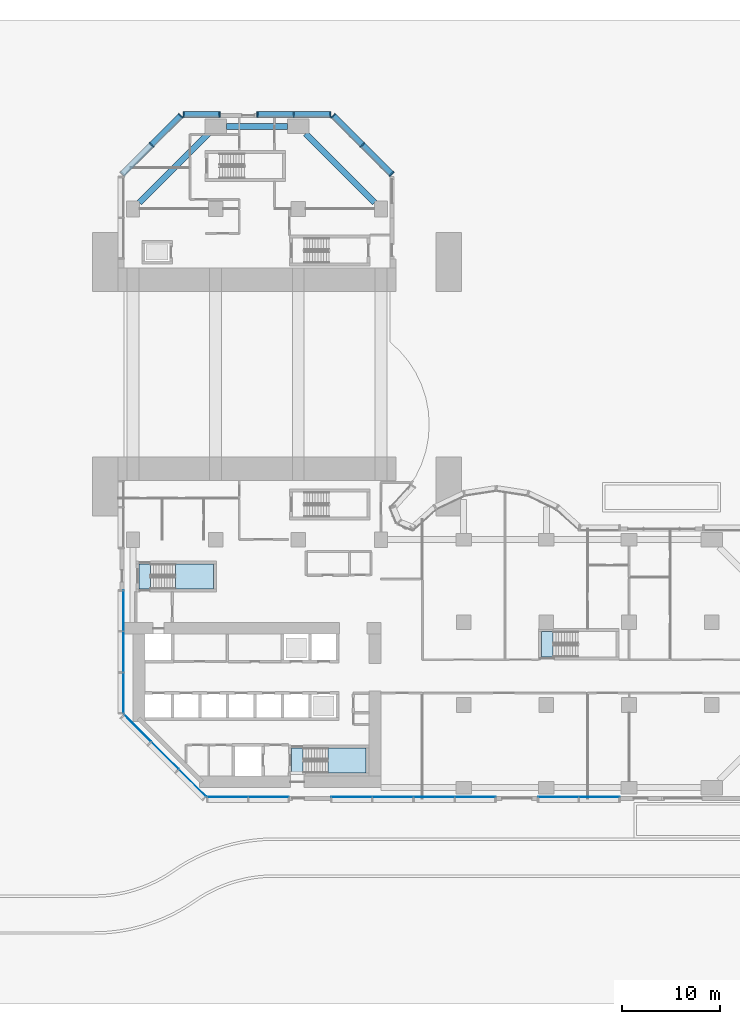
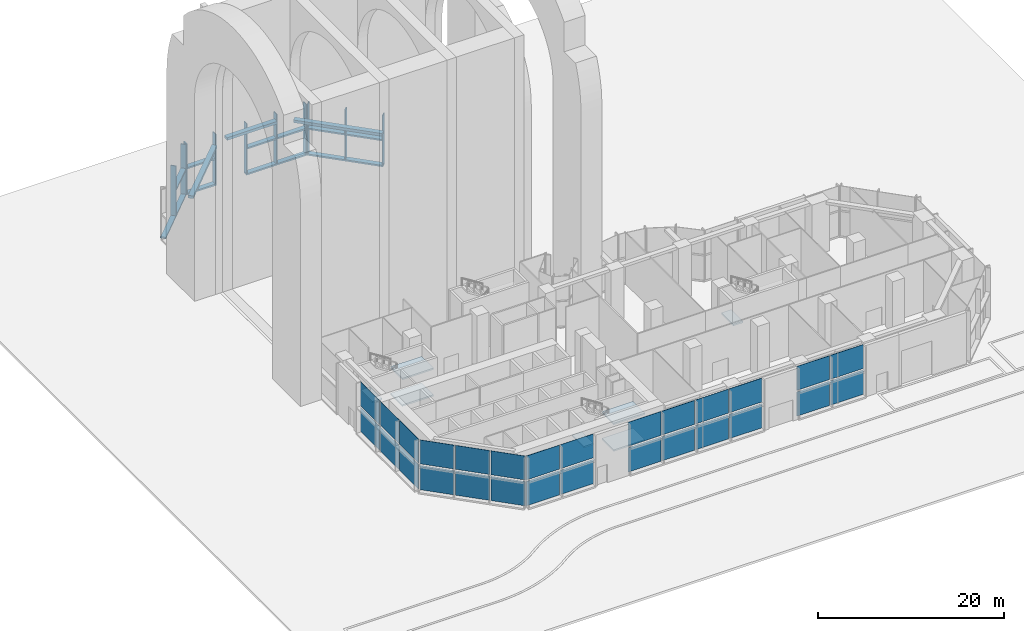
# One storey, part 4 of 21: 28 plates, 20 members, 7 slabs, 3 beams, 12 elements without a shape of their own.
"""IFC4 building model written with IfcOpenShell, lengths in metres."""

from ifc_helpers import new_model, si_unit, direction, frame, origin, origin_2d, place, context, subcontext, project, spatial, polyline, rectangle, outline, extrude, material, layer, layer_set, material_profile, profile_set, type_object, element, aggregate, save


model = new_model("IFC4")

# Units and contexts
model_context = context("Model", 3, precision=1e-05, world=origin(), true_north=direction((0.0, 1.0)))
body_context = subcontext(model_context, "Body", "Model", "MODEL_VIEW")
ifc_project = project(units=[si_unit("LENGTHUNIT", "METRE"), si_unit("AREAUNIT", "SQUARE_METRE"), si_unit("VOLUMEUNIT", "CUBIC_METRE"), si_unit("PLANEANGLEUNIT", "RADIAN"), si_unit("MASSUNIT", "GRAM", prefix="KILO")], contexts=[model_context])

# Site, building, storey
site_placement = place(None, origin())
site = spatial("IfcSite", under=ifc_project, at=site_placement, CompositionType="ELEMENT")
building_placement = place(site_placement, origin())
building = spatial("IfcBuilding", under=site, at=building_placement, Name="Brevane Broadcast Tower", CompositionType="ELEMENT")
storey_placement = place(building_placement, origin())
storey = spatial("IfcBuildingStorey", under=building, at=storey_placement, Name="L00", CompositionType="ELEMENT", Elevation=0.0)

# Curtain wall, members
ifc_material_1 = material(Name="Aluminium 6063-T6 bronze anodised", Category="aluminium")
curtain_wall_type = type_object("IfcCurtainWallType", Name="CW-6 curtain wall", PredefinedType="NOTDEFINED", material=ifc_material_1)
curtain_wall_1_placement = place(storey_placement, origin())
curtain_wall_1 = element("IfcCurtainWall", 1, at=curtain_wall_1_placement, inside=storey, type_object=curtain_wall_type, Name="CW-6 ground storey storefront unit L00 north arm north-east chamfer", PredefinedType="NOTDEFINED")
ifc_material_profile_1 = material_profile(ifc_material_1, rectangle(XDim=0.60009765625, YDim=0.1201171875, at=origin_2d()), Name="RECT 120x600")
ifc_profile_set_1 = profile_set([ifc_material_profile_1], Name="Aluminium 6063-T6 bronze anodised")
member_type_1 = type_object("IfcMemberType", Name="CW-6 mullion 120x600", PredefinedType="MULLION", material=ifc_profile_set_1)
member_1_placement = place(storey_placement, frame((26.269775390625, 62.3544921875, 0.199951171875), z_axis=(0.0, 0.0, 1.0), x_axis=(-0.707106781187, -0.707106781187, 0.0)))
member_1 = element("IfcMember", 2, at=member_1_placement, type_object=member_type_1, Name="CW-6 mullion", PredefinedType="MULLION", context=body_context, shape_type="SweptSolid", body=[
    extrude(rectangle(XDim=0.60009765625, YDim=0.1201171875, at=origin_2d()), origin(), (0.0, 0.0, 1.0), 6.550048828125),
])
member_2_placement = place(storey_placement, frame((23.31201171875, 65.31201171875, 0.199951171875), z_axis=(0.0, 0.0, 1.0), x_axis=(-0.707106781187, -0.707106781187, 0.0)))
member_2 = element("IfcMember", 3, at=member_2_placement, type_object=member_type_1, Name="CW-6 mullion", PredefinedType="MULLION", context=body_context, shape_type="SweptSolid", body=[
    extrude(rectangle(XDim=0.60009765625, YDim=0.1201171875, at=origin_2d()), origin(), (0.0, 0.0, 1.0), 6.550048828125),
])
member_3_placement = place(storey_placement, frame((20.3544921875, 68.269775390625, 0.199951171875), z_axis=(0.0, 0.0, 1.0), x_axis=(-0.707106781187, -0.707106781187, 0.0)))
member_3 = element("IfcMember", 4, at=member_3_placement, type_object=member_type_1, Name="CW-6 mullion", PredefinedType="MULLION", context=body_context, shape_type="SweptSolid", body=[
    extrude(rectangle(XDim=0.60009765625, YDim=0.1201171875, at=origin_2d()), origin(), (0.0, 0.0, 1.0), 6.550048828125),
])

curtain_wall_2_placement = place(storey_placement, origin())
curtain_wall_2 = element("IfcCurtainWall", 5, at=curtain_wall_2_placement, inside=storey, type_object=curtain_wall_type, Name="CW-6 ground storey storefront unit L00 north end", PredefinedType="NOTDEFINED")
member_4_placement = place(storey_placement, frame((20.0400390625, 68.39990234375, 0.199951171875), z_axis=(0.0, 0.0, 1.0), x_axis=(0.0, -1.0, 0.0)))
member_4 = element("IfcMember", 6, at=member_4_placement, type_object=member_type_1, Name="CW-6 mullion", PredefinedType="MULLION", context=body_context, shape_type="SweptSolid", body=[
    extrude(rectangle(XDim=0.60009765625, YDim=0.1201171875, at=origin_2d()), origin(), (0.0, 0.0, 1.0), 6.550048828125),
])
member_5_placement = place(storey_placement, frame((16.35009765625, 68.39990234375, 0.199951171875), z_axis=(0.0, 0.0, 1.0), x_axis=(0.0, -1.0, 0.0)))
member_5 = element("IfcMember", 7, at=member_5_placement, type_object=member_type_1, Name="CW-6 mullion", PredefinedType="MULLION", context=body_context, shape_type="SweptSolid", body=[
    extrude(rectangle(XDim=0.60009765625, YDim=0.1201171875, at=origin_2d()), origin(), (0.0, 0.0, 1.0), 6.550048828125),
])
member_6_placement = place(storey_placement, frame((12.659912109375, 68.39990234375, 0.199951171875), z_axis=(0.0, 0.0, 1.0), x_axis=(0.0, -1.0, 0.0)))
member_6 = element("IfcMember", 8, at=member_6_placement, type_object=member_type_1, Name="CW-6 mullion", PredefinedType="MULLION", context=body_context, shape_type="SweptSolid", body=[
    extrude(rectangle(XDim=0.60009765625, YDim=0.1201171875, at=origin_2d()), origin(), (0.0, 0.0, 1.0), 6.550048828125),
])

curtain_wall_3_placement = place(storey_placement, origin())
curtain_wall_3 = element("IfcCurtainWall", 9, at=curtain_wall_3_placement, inside=storey, type_object=curtain_wall_type, Name="CW-6 ground storey storefront unit L00 north end", PredefinedType="NOTDEFINED")
member_7_placement = place(storey_placement, frame((8.7900390625, 68.39990234375, 0.199951171875), z_axis=(0.0, 0.0, 1.0), x_axis=(0.0, -1.0, 0.0)))
member_7 = element("IfcMember", 10, at=member_7_placement, type_object=member_type_1, Name="CW-6 mullion", PredefinedType="MULLION", context=body_context, shape_type="SweptSolid", body=[
    extrude(rectangle(XDim=0.60009765625, YDim=0.1201171875, at=origin_2d()), origin(), (0.0, 0.0, 1.0), 6.550048828125),
])
member_8_placement = place(storey_placement, frame((5.159912109375, 68.39990234375, 0.199951171875), z_axis=(0.0, 0.0, 1.0), x_axis=(0.0, -1.0, 0.0)))
member_8 = element("IfcMember", 11, at=member_8_placement, type_object=member_type_1, Name="CW-6 mullion", PredefinedType="MULLION", context=body_context, shape_type="SweptSolid", body=[
    extrude(rectangle(XDim=0.60009765625, YDim=0.1201171875, at=origin_2d()), origin(), (0.0, 0.0, 1.0), 6.550048828125),
])

curtain_wall_4_placement = place(storey_placement, origin())
curtain_wall_4 = element("IfcCurtainWall", 12, at=curtain_wall_4_placement, inside=storey, type_object=curtain_wall_type, Name="CW-6 ground storey storefront unit L00 north-west chamfer", PredefinedType="NOTDEFINED")
member_9_placement = place(storey_placement, frame((4.845458984375, 68.269775390625, 0.199951171875), z_axis=(0.0, 0.0, 1.0), x_axis=(0.707106781187, -0.707106781187, 0.0)))
member_9 = element("IfcMember", 13, at=member_9_placement, type_object=member_type_1, Name="CW-6 mullion", PredefinedType="MULLION", context=body_context, shape_type="SweptSolid", body=[
    extrude(rectangle(XDim=0.60009765625, YDim=0.1201171875, at=origin_2d()), origin(), (0.0, 0.0, 1.0), 6.550048828125),
])
member_10_placement = place(storey_placement, frame((1.887939453125, 65.31201171875, 0.199951171875), z_axis=(0.0, 0.0, 1.0), x_axis=(0.707106781187, -0.707106781187, 0.0)))
member_10 = element("IfcMember", 14, at=member_10_placement, type_object=member_type_1, Name="CW-6 mullion", PredefinedType="MULLION", context=body_context, shape_type="SweptSolid", body=[
    extrude(rectangle(XDim=0.60009765625, YDim=0.1201171875, at=origin_2d()), origin(), (0.0, 0.0, 1.0), 6.550048828125),
])

# Member
ifc_material_profile_2 = material_profile(ifc_material_1, rectangle(XDim=0.60009765625, YDim=0.199951171875, at=origin_2d()), Name="RECT 200x600")
ifc_profile_set_2 = profile_set([ifc_material_profile_2], Name="Aluminium 6063-T6 bronze anodised")
member_type_2 = type_object("IfcMemberType", Name="CW-6 transom 200x600", PredefinedType="USERDEFINED", material=ifc_profile_set_2)
member_11_placement = place(storey_placement, frame((26.31201171875, 62.31201171875, 0.10009765625), z_axis=(-0.707106781187, 0.707106781187, 0.0), x_axis=(-0.707106781187, -0.707106781187, 0.0)))
member_11 = element("IfcMember", 15, at=member_11_placement, type_object=member_type_2, Name="CW-6 transom", ObjectType="TRANSOM", PredefinedType="USERDEFINED", context=body_context, shape_type="SweptSolid", body=[
    extrude(rectangle(XDim=0.60009765625, YDim=0.199951171875, at=origin_2d()), origin(), (0.0, 0.0, 1.0), 8.4853515625),
])

member_12_placement = place(storey_placement, frame((26.269775390625, 62.3544921875, 3.5), z_axis=(-0.707106781187, 0.707106781187, 0.0), x_axis=(-0.707106781187, -0.707106781187, 0.0)))
member_12 = element("IfcMember", 16, at=member_12_placement, type_object=member_type_2, Name="CW-6 transom", ObjectType="TRANSOM", PredefinedType="USERDEFINED", context=body_context, shape_type="SweptSolid", body=[
    extrude(rectangle(XDim=0.60009765625, YDim=0.199951171875, at=origin_2d()), origin(), (0.0, 0.0, 1.0), 4.122802734375),
])

member_13_placement = place(storey_placement, frame((23.269775390625, 65.3544921875, 3.5), z_axis=(-0.707106781187, 0.707106781187, 0.0), x_axis=(-0.707106781187, -0.707106781187, 0.0)))
member_13 = element("IfcMember", 17, at=member_13_placement, type_object=member_type_2, Name="CW-6 transom", ObjectType="TRANSOM", PredefinedType="USERDEFINED", context=body_context, shape_type="SweptSolid", body=[
    extrude(rectangle(XDim=0.60009765625, YDim=0.199951171875, at=origin_2d()), origin(), (0.0, 0.0, 1.0), 4.122802734375),
])

aggregate(curtain_wall_1, [member_1, member_2, member_3, member_11, member_12, member_13])

member_14_placement = place(storey_placement, frame((20.10009765625, 68.39990234375, 0.10009765625), z_axis=(-1.0, 0.0, 0.0), x_axis=(0.0, -1.0, 0.0)))
member_14 = element("IfcMember", 18, at=member_14_placement, type_object=member_type_2, Name="CW-6 transom", ObjectType="TRANSOM", PredefinedType="USERDEFINED", context=body_context, shape_type="SweptSolid", body=[
    extrude(rectangle(XDim=0.60009765625, YDim=0.199951171875, at=origin_2d()), origin(), (0.0, 0.0, 1.0), 7.5),
])

member_15_placement = place(storey_placement, frame((20.0400390625, 68.39990234375, 3.5), z_axis=(-1.0, 0.0, 0.0), x_axis=(0.0, -1.0, 0.0)))
member_15 = element("IfcMember", 19, at=member_15_placement, type_object=member_type_2, Name="CW-6 transom", ObjectType="TRANSOM", PredefinedType="USERDEFINED", context=body_context, shape_type="SweptSolid", body=[
    extrude(rectangle(XDim=0.60009765625, YDim=0.199951171875, at=origin_2d()), origin(), (0.0, 0.0, 1.0), 3.630126953125),
])

member_16_placement = place(storey_placement, frame((16.2900390625, 68.39990234375, 3.5), z_axis=(-1.0, 0.0, 0.0), x_axis=(0.0, -1.0, 0.0)))
member_16 = element("IfcMember", 20, at=member_16_placement, type_object=member_type_2, Name="CW-6 transom", ObjectType="TRANSOM", PredefinedType="USERDEFINED", context=body_context, shape_type="SweptSolid", body=[
    extrude(rectangle(XDim=0.60009765625, YDim=0.199951171875, at=origin_2d()), origin(), (0.0, 0.0, 1.0), 3.630126953125),
])

aggregate(curtain_wall_2, [member_4, member_5, member_6, member_14, member_15, member_16])

member_17_placement = place(storey_placement, frame((8.85009765625, 68.39990234375, 0.10009765625), z_axis=(-1.0, 0.0, 0.0), x_axis=(0.0, -1.0, 0.0)))
member_17 = element("IfcMember", 21, at=member_17_placement, type_object=member_type_2, Name="CW-6 transom", ObjectType="TRANSOM", PredefinedType="USERDEFINED", context=body_context, shape_type="SweptSolid", body=[
    extrude(rectangle(XDim=0.60009765625, YDim=0.199951171875, at=origin_2d()), origin(), (0.0, 0.0, 1.0), 3.75),
])

member_18_placement = place(storey_placement, frame((8.7900390625, 68.39990234375, 3.5), z_axis=(-1.0, 0.0, 0.0), x_axis=(0.0, -1.0, 0.0)))
member_18 = element("IfcMember", 22, at=member_18_placement, type_object=member_type_2, Name="CW-6 transom", ObjectType="TRANSOM", PredefinedType="USERDEFINED", context=body_context, shape_type="SweptSolid", body=[
    extrude(rectangle(XDim=0.60009765625, YDim=0.199951171875, at=origin_2d()), origin(), (0.0, 0.0, 1.0), 3.630126953125),
])

aggregate(curtain_wall_3, [member_7, member_8, member_17, member_18])

member_19_placement = place(storey_placement, frame((4.887939453125, 68.31201171875, 0.10009765625), z_axis=(-0.707106781187, -0.707106781187, 0.0), x_axis=(0.707106781187, -0.707106781187, 0.0)))
member_19 = element("IfcMember", 23, at=member_19_placement, type_object=member_type_2, Name="CW-6 transom", ObjectType="TRANSOM", PredefinedType="USERDEFINED", context=body_context, shape_type="SweptSolid", body=[
    extrude(rectangle(XDim=0.60009765625, YDim=0.199951171875, at=origin_2d()), origin(), (0.0, 0.0, 1.0), 8.4853515625),
])

member_20_placement = place(storey_placement, frame((4.845458984375, 68.269775390625, 3.5), z_axis=(-0.707106781187, -0.707106781187, 0.0), x_axis=(0.707106781187, -0.707106781187, 0.0)))
member_20 = element("IfcMember", 24, at=member_20_placement, type_object=member_type_2, Name="CW-6 transom", ObjectType="TRANSOM", PredefinedType="USERDEFINED", context=body_context, shape_type="SweptSolid", body=[
    extrude(rectangle(XDim=0.60009765625, YDim=0.199951171875, at=origin_2d()), origin(), (0.0, 0.0, 1.0), 4.122802734375),
])

aggregate(curtain_wall_4, [member_9, member_10, member_19, member_20])

# Beams
ifc_material_2 = material(Name="Concrete C40/50", Category="concrete")
ifc_material_profile_3 = material_profile(ifc_material_2, rectangle(XDim=0.60009765625, YDim=0.35009765625, at=origin_2d()), Name="RC 600x350")
ifc_profile_set_3 = profile_set([ifc_material_profile_3], Name="Concrete C40/50")
beam_type = type_object("IfcBeamType", Name="RC SPANDREL BEAM 600x350 C40/50", PredefinedType="SPANDREL", material=ifc_profile_set_3)
beam_1_placement = place(storey_placement, frame((24.550048828125, 59.449951171875, 6.574951171875), z_axis=(-0.707106781187, 0.707106781187, 0.0), x_axis=(-0.707106781187, -0.707106781187, 0.0)))
element("IfcBeam", 25, at=beam_1_placement, inside=storey, type_object=beam_type, Name="EB1 L00-12", PredefinedType="SPANDREL", context=body_context, shape_type="SweptSolid", body=[
    extrude(rectangle(XDim=0.60009765625, YDim=0.35009765625, at=origin_2d()), origin(), (0.0, 0.0, 1.0), 9.8994140625),
])
beam_2_placement = place(storey_placement, frame((15.699951171875, 67.199951171875, 6.574951171875), z_axis=(-1.0, 0.0, 0.0), x_axis=(0.0, -1.0, 0.0)))
element("IfcBeam", 26, at=beam_2_placement, inside=storey, type_object=beam_type, Name="EB1 L00-13", PredefinedType="SPANDREL", context=body_context, shape_type="SweptSolid", body=[
    extrude(rectangle(XDim=0.60009765625, YDim=0.35009765625, at=origin_2d()), origin(), (0.0, 0.0, 1.0), 6.199951171875),
])
beam_3_placement = place(storey_placement, frame((7.64990234375, 66.449951171875, 6.574951171875), z_axis=(-0.707106781187, -0.707106781187, 0.0), x_axis=(0.707106781187, -0.707106781187, 0.0)))
element("IfcBeam", 27, at=beam_3_placement, inside=storey, type_object=beam_type, Name="EB1 L00-14", PredefinedType="SPANDREL", context=body_context, shape_type="SweptSolid", body=[
    extrude(rectangle(XDim=0.60009765625, YDim=0.35009765625, at=origin_2d()), origin(), (0.0, 0.0, 1.0), 9.8994140625),
])

# Curtain wall, plates
curtain_wall_5_placement = place(storey_placement, origin())
curtain_wall_5 = element("IfcCurtainWall", 28, at=curtain_wall_5_placement, inside=storey, type_object=curtain_wall_type, Name="CW-6 ground storey storefront unit L00 south face", PredefinedType="NOTDEFINED")
ifc_material_3 = material(Name="Laminated glass bronze-tinted", Category="glass")
ifc_layer_1 = layer(ifc_material_3, 0.0400390625)
ifc_layer_set_1 = layer_set([ifc_layer_1], Name="CW glass panel 40")
plate_type = type_object("IfcPlateType", Name="CW glass panel 40", PredefinedType="CURTAIN_PANEL", material=ifc_layer_set_1)
plate_1_placement = place(storey_placement, frame((0.0, 0.0, 0.199951171875)))
plate_1 = element("IfcPlate", 29, at=plate_1_placement, type_object=plate_type, Name="CW-6 glass panel", PredefinedType="CURTAIN_PANEL", context=body_context, shape_type="SweptSolid", body=[
    extrude(outline(polyline([(11.639892578125, -0.969970703125), (11.639892578125, -0.929931640625), (7.56005859375, -0.929931640625), (7.56005859375, -0.969970703125), (11.639892578125, -0.969970703125)])), origin(), (0.0, 0.0, 1.0), 3.199951171875),
])
plate_2_placement = place(storey_placement, frame((0.0, 0.0, 3.60009765625)))
plate_2 = element("IfcPlate", 30, at=plate_2_placement, type_object=plate_type, Name="CW-6 glass panel", PredefinedType="CURTAIN_PANEL", context=body_context, shape_type="SweptSolid", body=[
    extrude(outline(polyline([(11.639892578125, -0.969970703125), (11.639892578125, -0.929931640625), (7.56005859375, -0.929931640625), (7.56005859375, -0.969970703125), (11.639892578125, -0.969970703125)])), origin(), (0.0, 0.0, 1.0), 3.14990234375),
])
plate_3_placement = place(storey_placement, frame((0.0, 0.0, 0.199951171875)))
plate_3 = element("IfcPlate", 31, at=plate_3_placement, type_object=plate_type, Name="CW-6 glass panel", PredefinedType="CURTAIN_PANEL", context=body_context, shape_type="SweptSolid", body=[
    extrude(outline(polyline([(15.840087890625, -0.969970703125), (15.840087890625, -0.929931640625), (11.760009765625, -0.929931640625), (11.760009765625, -0.969970703125), (15.840087890625, -0.969970703125)])), origin(), (0.0, 0.0, 1.0), 3.199951171875),
])
plate_4_placement = place(storey_placement, frame((0.0, 0.0, 3.60009765625)))
plate_4 = element("IfcPlate", 32, at=plate_4_placement, type_object=plate_type, Name="CW-6 glass panel", PredefinedType="CURTAIN_PANEL", context=body_context, shape_type="SweptSolid", body=[
    extrude(outline(polyline([(15.840087890625, -0.969970703125), (15.840087890625, -0.929931640625), (11.760009765625, -0.929931640625), (11.760009765625, -0.969970703125), (15.840087890625, -0.969970703125)])), origin(), (0.0, 0.0, 1.0), 3.14990234375),
])
aggregate(curtain_wall_5, [plate_1, plate_2, plate_3, plate_4])

curtain_wall_6_placement = place(storey_placement, origin())
curtain_wall_6 = element("IfcCurtainWall", 33, at=curtain_wall_6_placement, inside=storey, type_object=curtain_wall_type, Name="CW-6 ground storey storefront unit L00 south face", PredefinedType="NOTDEFINED")
plate_5_placement = place(storey_placement, frame((0.0, 0.0, 0.199951171875)))
plate_5 = element("IfcPlate", 34, at=plate_5_placement, type_object=plate_type, Name="CW-6 glass panel", PredefinedType="CURTAIN_PANEL", context=body_context, shape_type="SweptSolid", body=[
    extrude(outline(polyline([(24.239990234375, -0.969970703125), (24.239990234375, -0.929931640625), (20.159912109375, -0.929931640625), (20.159912109375, -0.969970703125), (24.239990234375, -0.969970703125)])), origin(), (0.0, 0.0, 1.0), 3.199951171875),
])
plate_6_placement = place(storey_placement, frame((0.0, 0.0, 3.60009765625)))
plate_6 = element("IfcPlate", 35, at=plate_6_placement, type_object=plate_type, Name="CW-6 glass panel", PredefinedType="CURTAIN_PANEL", context=body_context, shape_type="SweptSolid", body=[
    extrude(outline(polyline([(24.239990234375, -0.969970703125), (24.239990234375, -0.929931640625), (20.159912109375, -0.929931640625), (20.159912109375, -0.969970703125), (24.239990234375, -0.969970703125)])), origin(), (0.0, 0.0, 1.0), 3.14990234375),
])
plate_7_placement = place(storey_placement, frame((0.0, 0.0, 0.199951171875)))
plate_7 = element("IfcPlate", 36, at=plate_7_placement, type_object=plate_type, Name="CW-6 glass panel", PredefinedType="CURTAIN_PANEL", context=body_context, shape_type="SweptSolid", body=[
    extrude(outline(polyline([(28.43994140625, -0.969970703125), (28.43994140625, -0.929931640625), (24.360107421875, -0.929931640625), (24.360107421875, -0.969970703125), (28.43994140625, -0.969970703125)])), origin(), (0.0, 0.0, 1.0), 3.199951171875),
])
plate_8_placement = place(storey_placement, frame((0.0, 0.0, 3.60009765625)))
plate_8 = element("IfcPlate", 37, at=plate_8_placement, type_object=plate_type, Name="CW-6 glass panel", PredefinedType="CURTAIN_PANEL", context=body_context, shape_type="SweptSolid", body=[
    extrude(outline(polyline([(28.43994140625, -0.969970703125), (28.43994140625, -0.929931640625), (24.360107421875, -0.929931640625), (24.360107421875, -0.969970703125), (28.43994140625, -0.969970703125)])), origin(), (0.0, 0.0, 1.0), 3.14990234375),
])
plate_9_placement = place(storey_placement, frame((0.0, 0.0, 0.199951171875)))
plate_9 = element("IfcPlate", 38, at=plate_9_placement, type_object=plate_type, Name="CW-6 glass panel", PredefinedType="CURTAIN_PANEL", context=body_context, shape_type="SweptSolid", body=[
    extrude(outline(polyline([(32.639892578125, -0.969970703125), (32.639892578125, -0.929931640625), (28.56005859375, -0.929931640625), (28.56005859375, -0.969970703125), (32.639892578125, -0.969970703125)])), origin(), (0.0, 0.0, 1.0), 3.199951171875),
])
plate_10_placement = place(storey_placement, frame((0.0, 0.0, 3.60009765625)))
plate_10 = element("IfcPlate", 39, at=plate_10_placement, type_object=plate_type, Name="CW-6 glass panel", PredefinedType="CURTAIN_PANEL", context=body_context, shape_type="SweptSolid", body=[
    extrude(outline(polyline([(32.639892578125, -0.969970703125), (32.639892578125, -0.929931640625), (28.56005859375, -0.929931640625), (28.56005859375, -0.969970703125), (32.639892578125, -0.969970703125)])), origin(), (0.0, 0.0, 1.0), 3.14990234375),
])
plate_11_placement = place(storey_placement, frame((0.0, 0.0, 0.199951171875)))
plate_11 = element("IfcPlate", 40, at=plate_11_placement, type_object=plate_type, Name="CW-6 glass panel", PredefinedType="CURTAIN_PANEL", context=body_context, shape_type="SweptSolid", body=[
    extrude(outline(polyline([(36.840087890625, -0.969970703125), (36.840087890625, -0.929931640625), (32.760009765625, -0.929931640625), (32.760009765625, -0.969970703125), (36.840087890625, -0.969970703125)])), origin(), (0.0, 0.0, 1.0), 3.199951171875),
])
plate_12_placement = place(storey_placement, frame((0.0, 0.0, 3.60009765625)))
plate_12 = element("IfcPlate", 41, at=plate_12_placement, type_object=plate_type, Name="CW-6 glass panel", PredefinedType="CURTAIN_PANEL", context=body_context, shape_type="SweptSolid", body=[
    extrude(outline(polyline([(36.840087890625, -0.969970703125), (36.840087890625, -0.929931640625), (32.760009765625, -0.929931640625), (32.760009765625, -0.969970703125), (36.840087890625, -0.969970703125)])), origin(), (0.0, 0.0, 1.0), 3.14990234375),
])
aggregate(curtain_wall_6, [plate_5, plate_6, plate_7, plate_8, plate_9, plate_10, plate_11, plate_12])

curtain_wall_7_placement = place(storey_placement, origin())
curtain_wall_7 = element("IfcCurtainWall", 42, at=curtain_wall_7_placement, inside=storey, type_object=curtain_wall_type, Name="CW-6 ground storey storefront unit L00 south face", PredefinedType="NOTDEFINED")
plate_13_placement = place(storey_placement, frame((0.0, 0.0, 0.199951171875)))
plate_13 = element("IfcPlate", 43, at=plate_13_placement, type_object=plate_type, Name="CW-6 glass panel", PredefinedType="CURTAIN_PANEL", context=body_context, shape_type="SweptSolid", body=[
    extrude(outline(polyline([(45.239990234375, -0.969970703125), (45.239990234375, -0.929931640625), (41.159912109375, -0.929931640625), (41.159912109375, -0.969970703125), (45.239990234375, -0.969970703125)])), origin(), (0.0, 0.0, 1.0), 3.199951171875),
])
plate_14_placement = place(storey_placement, frame((0.0, 0.0, 3.60009765625)))
plate_14 = element("IfcPlate", 44, at=plate_14_placement, type_object=plate_type, Name="CW-6 glass panel", PredefinedType="CURTAIN_PANEL", context=body_context, shape_type="SweptSolid", body=[
    extrude(outline(polyline([(45.239990234375, -0.969970703125), (45.239990234375, -0.929931640625), (41.159912109375, -0.929931640625), (41.159912109375, -0.969970703125), (45.239990234375, -0.969970703125)])), origin(), (0.0, 0.0, 1.0), 3.14990234375),
])
plate_15_placement = place(storey_placement, frame((0.0, 0.0, 0.199951171875)))
plate_15 = element("IfcPlate", 45, at=plate_15_placement, type_object=plate_type, Name="CW-6 glass panel", PredefinedType="CURTAIN_PANEL", context=body_context, shape_type="SweptSolid", body=[
    extrude(outline(polyline([(49.43994140625, -0.969970703125), (49.43994140625, -0.929931640625), (45.360107421875, -0.929931640625), (45.360107421875, -0.969970703125), (49.43994140625, -0.969970703125)])), origin(), (0.0, 0.0, 1.0), 3.199951171875),
])
plate_16_placement = place(storey_placement, frame((0.0, 0.0, 3.60009765625)))
plate_16 = element("IfcPlate", 46, at=plate_16_placement, type_object=plate_type, Name="CW-6 glass panel", PredefinedType="CURTAIN_PANEL", context=body_context, shape_type="SweptSolid", body=[
    extrude(outline(polyline([(49.43994140625, -0.969970703125), (49.43994140625, -0.929931640625), (45.360107421875, -0.929931640625), (45.360107421875, -0.969970703125), (49.43994140625, -0.969970703125)])), origin(), (0.0, 0.0, 1.0), 3.14990234375),
])
aggregate(curtain_wall_7, [plate_13, plate_14, plate_15, plate_16])

curtain_wall_8_placement = place(storey_placement, origin())
curtain_wall_8 = element("IfcCurtainWall", 47, at=curtain_wall_8_placement, inside=storey, type_object=curtain_wall_type, Name="CW-6 ground storey storefront unit L00 west face", PredefinedType="NOTDEFINED")
plate_17_placement = place(storey_placement, frame((0.0, 0.0, 0.199951171875)))
plate_17 = element("IfcPlate", 48, at=plate_17_placement, type_object=plate_type, Name="CW-6 glass panel", PredefinedType="CURTAIN_PANEL", context=body_context, shape_type="SweptSolid", body=[
    extrude(outline(polyline([(-0.969970703125, 15.9599609375), (-0.929931640625, 15.9599609375), (-0.929931640625, 20.0400390625), (-0.969970703125, 20.0400390625), (-0.969970703125, 15.9599609375)])), origin(), (0.0, 0.0, 1.0), 3.199951171875),
])
plate_18_placement = place(storey_placement, frame((0.0, 0.0, 3.60009765625)))
plate_18 = element("IfcPlate", 49, at=plate_18_placement, type_object=plate_type, Name="CW-6 glass panel", PredefinedType="CURTAIN_PANEL", context=body_context, shape_type="SweptSolid", body=[
    extrude(outline(polyline([(-0.969970703125, 15.9599609375), (-0.929931640625, 15.9599609375), (-0.929931640625, 20.0400390625), (-0.969970703125, 20.0400390625), (-0.969970703125, 15.9599609375)])), origin(), (0.0, 0.0, 1.0), 3.14990234375),
])
plate_19_placement = place(storey_placement, frame((0.0, 0.0, 0.199951171875)))
plate_19 = element("IfcPlate", 50, at=plate_19_placement, type_object=plate_type, Name="CW-6 glass panel", PredefinedType="CURTAIN_PANEL", context=body_context, shape_type="SweptSolid", body=[
    extrude(outline(polyline([(-0.969970703125, 11.760009765625), (-0.929931640625, 11.760009765625), (-0.929931640625, 15.840087890625), (-0.969970703125, 15.840087890625), (-0.969970703125, 11.760009765625)])), origin(), (0.0, 0.0, 1.0), 3.199951171875),
])
plate_20_placement = place(storey_placement, frame((0.0, 0.0, 3.60009765625)))
plate_20 = element("IfcPlate", 51, at=plate_20_placement, type_object=plate_type, Name="CW-6 glass panel", PredefinedType="CURTAIN_PANEL", context=body_context, shape_type="SweptSolid", body=[
    extrude(outline(polyline([(-0.969970703125, 11.760009765625), (-0.929931640625, 11.760009765625), (-0.929931640625, 15.840087890625), (-0.969970703125, 15.840087890625), (-0.969970703125, 11.760009765625)])), origin(), (0.0, 0.0, 1.0), 3.14990234375),
])
plate_21_placement = place(storey_placement, frame((0.0, 0.0, 0.199951171875)))
plate_21 = element("IfcPlate", 52, at=plate_21_placement, type_object=plate_type, Name="CW-6 glass panel", PredefinedType="CURTAIN_PANEL", context=body_context, shape_type="SweptSolid", body=[
    extrude(outline(polyline([(-0.969970703125, 7.56005859375), (-0.929931640625, 7.56005859375), (-0.929931640625, 11.639892578125), (-0.969970703125, 11.639892578125), (-0.969970703125, 7.56005859375)])), origin(), (0.0, 0.0, 1.0), 3.199951171875),
])
plate_22_placement = place(storey_placement, frame((0.0, 0.0, 3.60009765625)))
plate_22 = element("IfcPlate", 53, at=plate_22_placement, type_object=plate_type, Name="CW-6 glass panel", PredefinedType="CURTAIN_PANEL", context=body_context, shape_type="SweptSolid", body=[
    extrude(outline(polyline([(-0.969970703125, 7.56005859375), (-0.929931640625, 7.56005859375), (-0.929931640625, 11.639892578125), (-0.969970703125, 11.639892578125), (-0.969970703125, 7.56005859375)])), origin(), (0.0, 0.0, 1.0), 3.14990234375),
])
aggregate(curtain_wall_8, [plate_17, plate_18, plate_19, plate_20, plate_21, plate_22])

curtain_wall_9_placement = place(storey_placement, origin())
curtain_wall_9 = element("IfcCurtainWall", 54, at=curtain_wall_9_placement, inside=storey, type_object=curtain_wall_type, Name="CW-6 ground storey storefront unit L00 south-west chamfer", PredefinedType="NOTDEFINED")
plate_23_placement = place(storey_placement, frame((0.0, 0.0, 0.199951171875)))
plate_23 = element("IfcPlate", 55, at=plate_23_placement, type_object=plate_type, Name="CW-6 glass panel", PredefinedType="CURTAIN_PANEL", context=body_context, shape_type="SweptSolid", body=[
    extrude(outline(polyline([(-0.87890625, 7.436279296875), (1.83642578125, 4.72119140625), (1.80810546875, 4.69287109375), (-0.906982421875, 7.408203125), (-0.87890625, 7.436279296875)])), origin(), (0.0, 0.0, 1.0), 3.199951171875),
])
plate_24_placement = place(storey_placement, frame((0.0, 0.0, 3.60009765625)))
plate_24 = element("IfcPlate", 56, at=plate_24_placement, type_object=plate_type, Name="CW-6 glass panel", PredefinedType="CURTAIN_PANEL", context=body_context, shape_type="SweptSolid", body=[
    extrude(outline(polyline([(-0.87890625, 7.436279296875), (1.83642578125, 4.72119140625), (1.80810546875, 4.69287109375), (-0.906982421875, 7.408203125), (-0.87890625, 7.436279296875)])), origin(), (0.0, 0.0, 1.0), 3.14990234375),
])
plate_25_placement = place(storey_placement, frame((0.0, 0.0, 0.199951171875)))
plate_25 = element("IfcPlate", 57, at=plate_25_placement, type_object=plate_type, Name="CW-6 glass panel", PredefinedType="CURTAIN_PANEL", context=body_context, shape_type="SweptSolid", body=[
    extrude(outline(polyline([(1.921142578125, 4.636474609375), (4.636474609375, 1.921142578125), (4.608154296875, 1.892822265625), (1.892822265625, 4.608154296875), (1.921142578125, 4.636474609375)])), origin(), (0.0, 0.0, 1.0), 3.199951171875),
])
plate_26_placement = place(storey_placement, frame((0.0, 0.0, 3.60009765625)))
plate_26 = element("IfcPlate", 58, at=plate_26_placement, type_object=plate_type, Name="CW-6 glass panel", PredefinedType="CURTAIN_PANEL", context=body_context, shape_type="SweptSolid", body=[
    extrude(outline(polyline([(1.921142578125, 4.636474609375), (4.636474609375, 1.921142578125), (4.608154296875, 1.892822265625), (1.892822265625, 4.608154296875), (1.921142578125, 4.636474609375)])), origin(), (0.0, 0.0, 1.0), 3.14990234375),
])
plate_27_placement = place(storey_placement, frame((0.0, 0.0, 0.199951171875)))
plate_27 = element("IfcPlate", 59, at=plate_27_placement, type_object=plate_type, Name="CW-6 glass panel", PredefinedType="CURTAIN_PANEL", context=body_context, shape_type="SweptSolid", body=[
    extrude(outline(polyline([(4.72119140625, 1.83642578125), (7.436279296875, -0.87890625), (7.408203125, -0.906982421875), (4.69287109375, 1.80810546875), (4.72119140625, 1.83642578125)])), origin(), (0.0, 0.0, 1.0), 3.199951171875),
])
plate_28_placement = place(storey_placement, frame((0.0, 0.0, 3.60009765625)))
plate_28 = element("IfcPlate", 60, at=plate_28_placement, type_object=plate_type, Name="CW-6 glass panel", PredefinedType="CURTAIN_PANEL", context=body_context, shape_type="SweptSolid", body=[
    extrude(outline(polyline([(4.72119140625, 1.83642578125), (7.436279296875, -0.87890625), (7.408203125, -0.906982421875), (4.69287109375, 1.80810546875), (4.72119140625, 1.83642578125)])), origin(), (0.0, 0.0, 1.0), 3.14990234375),
])
aggregate(curtain_wall_9, [plate_23, plate_24, plate_25, plate_26, plate_27, plate_28])

# Stair, slabs
ifc_material_4 = material(Name="Concrete C50/60", Category="concrete")
stair_type = type_object("IfcStairType", Name="Exit stair 40 risers", PredefinedType="HALF_TURN_STAIR", material=ifc_material_4)
stair_1_placement = place(storey_placement, origin())
stair_1 = element("IfcStair", 61, at=stair_1_placement, inside=storey, type_object=stair_type, Name="L00 Exit stair ST-1", PredefinedType="HALF_TURN_STAIR")
ifc_layer_2 = layer(ifc_material_4, 0.199951171875)
ifc_layer_set_2 = layer_set([ifc_layer_2], Name="Exit stair landing")
slab_type = type_object("IfcSlabType", Name="Exit stair landing", PredefinedType="LANDING", material=ifc_layer_set_2)
slab_1_placement = place(storey_placement, frame((0.0, 0.0, 1.550048828125)))
slab_1 = element("IfcSlab", 62, at=slab_1_placement, type_object=slab_type, Name="ST-1 landing 1", PredefinedType="LANDING", context=body_context, shape_type="SweptSolid", body=[
    extrude(outline(polyline([(4.320068359375, 20.199951171875), (8.199951171875, 20.199951171875), (8.199951171875, 22.75), (4.320068359375, 22.75), (4.320068359375, 20.199951171875)])), origin(), (0.0, 0.0, 1.0), 0.199951171875),
])
slab_2_placement = place(storey_placement, frame((0.0, 0.0, 3.300048828125)))
slab_2 = element("IfcSlab", 63, at=slab_2_placement, type_object=slab_type, Name="ST-1 landing 2", PredefinedType="LANDING", context=body_context, shape_type="SweptSolid", body=[
    extrude(outline(polyline([(0.60009765625, 20.199951171875), (1.800048828125, 20.199951171875), (1.800048828125, 22.75), (0.60009765625, 22.75), (0.60009765625, 20.199951171875)])), origin(), (0.0, 0.0, 1.0), 0.199951171875),
])
slab_3_placement = place(storey_placement, frame((0.0, 0.0, 5.050048828125)))
slab_3 = element("IfcSlab", 64, at=slab_3_placement, type_object=slab_type, Name="ST-1 landing 3", PredefinedType="LANDING", context=body_context, shape_type="SweptSolid", body=[
    extrude(outline(polyline([(4.320068359375, 20.199951171875), (8.199951171875, 20.199951171875), (8.199951171875, 22.75), (4.320068359375, 22.75), (4.320068359375, 20.199951171875)])), origin(), (0.0, 0.0, 1.0), 0.199951171875),
])
aggregate(stair_1, [slab_1, slab_2, slab_3])

stair_2_placement = place(storey_placement, origin())
stair_2 = element("IfcStair", 65, at=stair_2_placement, inside=storey, type_object=stair_type, Name="L00 Exit stair ST-2", PredefinedType="HALF_TURN_STAIR")
slab_4_placement = place(storey_placement, frame((0.0, 0.0, 1.550048828125)))
slab_4 = element("IfcSlab", 66, at=slab_4_placement, type_object=slab_type, Name="ST-2 landing 1", PredefinedType="LANDING", context=body_context, shape_type="SweptSolid", body=[
    extrude(outline(polyline([(19.820068359375, 1.5), (23.699951171875, 1.5), (23.699951171875, 4.050048828125), (19.820068359375, 4.050048828125), (19.820068359375, 1.5)])), origin(), (0.0, 0.0, 1.0), 0.199951171875),
])
slab_5_placement = place(storey_placement, frame((0.0, 0.0, 3.300048828125)))
slab_5 = element("IfcSlab", 67, at=slab_5_placement, type_object=slab_type, Name="ST-2 landing 2", PredefinedType="LANDING", context=body_context, shape_type="SweptSolid", body=[
    extrude(outline(polyline([(16.10009765625, 1.5), (17.300048828125, 1.5), (17.300048828125, 4.050048828125), (16.10009765625, 4.050048828125), (16.10009765625, 1.5)])), origin(), (0.0, 0.0, 1.0), 0.199951171875),
])
slab_6_placement = place(storey_placement, frame((0.0, 0.0, 5.050048828125)))
slab_6 = element("IfcSlab", 68, at=slab_6_placement, type_object=slab_type, Name="ST-2 landing 3", PredefinedType="LANDING", context=body_context, shape_type="SweptSolid", body=[
    extrude(outline(polyline([(19.820068359375, 1.5), (23.699951171875, 1.5), (23.699951171875, 4.050048828125), (19.820068359375, 4.050048828125), (19.820068359375, 1.5)])), origin(), (0.0, 0.0, 1.0), 0.199951171875),
])
aggregate(stair_2, [slab_4, slab_5, slab_6])

# Stair, slab
stair_3_placement = place(storey_placement, origin())
stair_3 = element("IfcStair", 69, at=stair_3_placement, inside=storey, type_object=stair_type, Name="L00 Exit stair ST-4", PredefinedType="HALF_TURN_STAIR")
slab_7_placement = place(storey_placement, frame((0.0, 0.0, 3.300048828125)))
slab_7 = element("IfcSlab", 70, at=slab_7_placement, type_object=slab_type, Name="ST-4 landing 2", PredefinedType="LANDING", context=body_context, shape_type="SweptSolid", body=[
    extrude(outline(polyline([(41.5, 13.300048828125), (42.699951171875, 13.300048828125), (42.699951171875, 15.85009765625), (41.5, 15.85009765625), (41.5, 13.300048828125)])), origin(), (0.0, 0.0, 1.0), 0.199951171875),
])
aggregate(stair_3, [slab_7])

save(model, "model.ifc")
